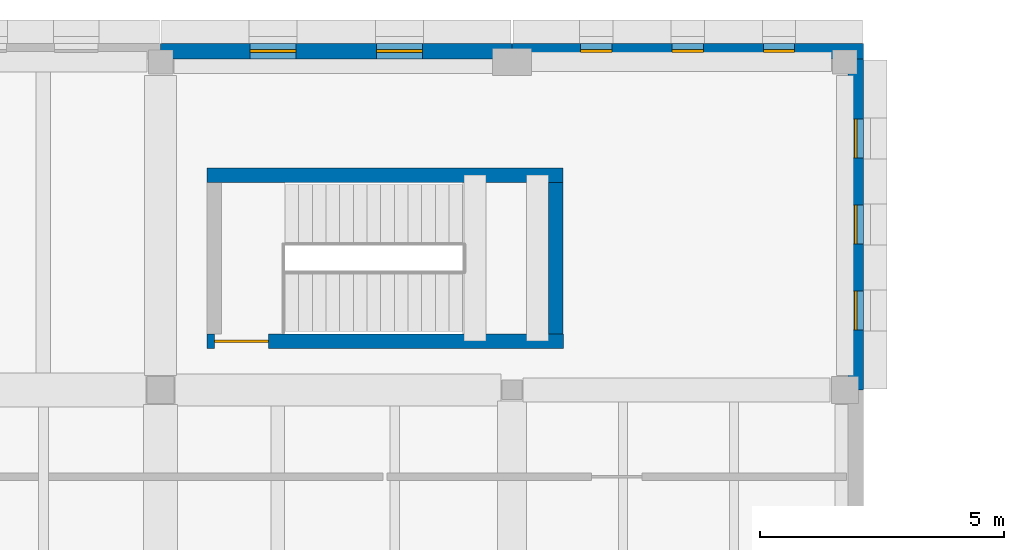
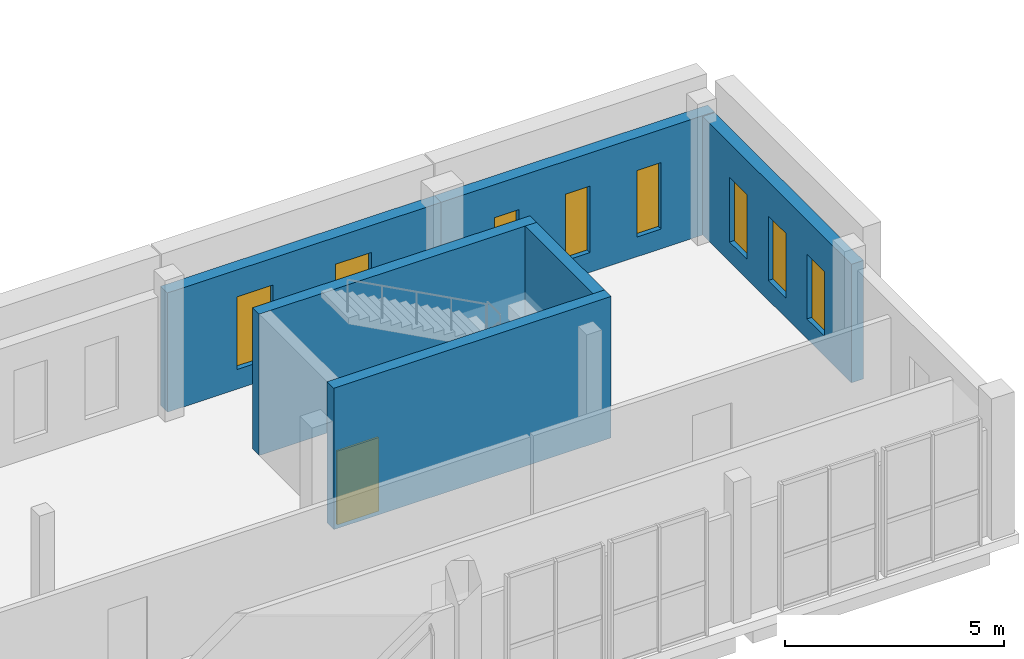
# One storey, part 42 of 56: 8 windows, 6 walls, 1 door, 9 openings.
"""IFC4 building model written with IfcOpenShell, lengths in metres."""

from ifc_helpers import new_model, si_unit, direction, frame, frame_2d, origin, place, context, subcontext, project, spatial, rectangle, extrude, material, layer, layer_set, type_object, element, fill, save


model = new_model("IFC4")

# Units and contexts
model_context = context("Model", 3, precision=1e-05, world=origin(), true_north=direction((0.0, 1.0)))
body_context = subcontext(model_context, "Body", "Model", "MODEL_VIEW")
ifc_project = project(units=[si_unit("LENGTHUNIT", "METRE"), si_unit("AREAUNIT", "SQUARE_METRE"), si_unit("VOLUMEUNIT", "CUBIC_METRE"), si_unit("PLANEANGLEUNIT", "RADIAN"), si_unit("MASSUNIT", "GRAM", prefix="KILO")], contexts=[model_context])

# Site, building, storey
site_placement = place(None, origin())
site = spatial("IfcSite", under=ifc_project, at=site_placement, CompositionType="ELEMENT")
building_placement = place(site_placement, origin())
building = spatial("IfcBuilding", under=site, at=building_placement, Name="Vardoun Plaza Health Centre", CompositionType="ELEMENT")
storey_placement = place(building_placement, frame((0.0, 0.0, 8.699951171875)))
storey = spatial("IfcBuildingStorey", under=building, at=storey_placement, Name="L02", CompositionType="ELEMENT", Elevation=8.699951171875)

# Wall, opening, door
ifc_material_1 = material(Name="Concrete C40/50", Category="concrete")
ifc_layer_1 = layer(ifc_material_1, 0.300048828125)
ifc_layer_set_1 = layer_set([ifc_layer_1], Name="Concrete C40/50")
wall_type_1 = type_object("IfcWallType", Name="SW-01", PredefinedType="SHEAR", material=ifc_layer_set_1)
wall_1_placement = place(storey_placement, frame((41.550048828125, 109.199951171875, 0.0), z_axis=(0.0, 0.0, 1.0), x_axis=(-1.0, 0.0, 0.0)))
wall_1 = element("IfcWall", 1, at=wall_1_placement, inside=storey, type_object=wall_type_1, Name="Core C4 L02 Shear Wall S", PredefinedType="SHEAR", context=body_context, shape_type="SweptSolid", body=[
    extrude(rectangle(XDim=7.300048828125, YDim=0.300048828125, at=frame_2d((3.64990234375, 0.0))), origin(), (0.0, 0.0, 1.0), 3.93505859375),
])
opening_1_placement = place(wall_1_placement, frame((6.0400390625, 0.0, 0.0)))
opening_1 = element("IfcOpeningElement", 2, at=opening_1_placement, cuts=wall_1, Name="Opening SD-C4-L02", PredefinedType="OPENING", context=body_context, shape_type="SweptSolid", body=[
    extrude(rectangle(XDim=1.10009765625, YDim=2.050048828125, at=frame_2d((0.550048828125, 1.02490234375))), frame((0.0, 0.14990234375, 0.0), z_axis=(0.0, -1.0, 0.0), x_axis=(1.0, 0.0, 0.0)), (0.0, 0.0, 1.0), 0.300048828125),
])
ifc_material_2 = material(Name="Brushed Stainless Steel Grade 316L", Category="steel")
door_type = type_object("IfcDoorType", Name="FD-01", OperationType="NOTDEFINED", PredefinedType="DOOR", material=ifc_material_2)
door_placement = place(opening_1_placement, origin())
door = element("IfcDoor", 3, at=door_placement, inside=storey, type_object=door_type, Name="Stair C4 L02 Fire Door", OperationType="SINGLE_SWING_LEFT", OverallHeight=2.050048828125, OverallWidth=1.10009765625, PredefinedType="DOOR", context=body_context, shape_type="SweptSolid", body=[
    extrude(rectangle(XDim=1.10009765625, YDim=2.050048828125, at=frame_2d((0.550048828125, 1.02490234375))), frame((0.0, 0.02490234375, 0.0), z_axis=(0.0, -1.0, 0.0), x_axis=(1.0, 0.0, 0.0)), (0.0, 0.0, 1.0), 0.050048828125),
])
fill(opening_1, door)

# Walls
wall_2_placement = place(storey_placement, frame((34.25, 112.60009765625, 0.0), z_axis=(0.0, 0.0, 1.0), x_axis=(1.0, 0.0, 0.0)))
element("IfcWall", 4, at=wall_2_placement, inside=storey, type_object=wall_type_1, Name="Core C4 L02 Shear Wall N", PredefinedType="SHEAR", context=body_context, shape_type="SweptSolid", body=[
    extrude(rectangle(XDim=7.300048828125, YDim=0.300048828125, at=frame_2d((3.64990234375, 0.0))), origin(), (0.0, 0.0, 1.0), 3.93505859375),
])
wall_3_placement = place(storey_placement, frame((41.39990234375, 112.449951171875, 0.0), z_axis=(0.0, 0.0, 1.0), x_axis=(0.0, -1.0, 0.0)))
element("IfcWall", 5, at=wall_3_placement, inside=storey, type_object=wall_type_1, Name="Core C4 L02 Shear Wall E", PredefinedType="SHEAR", context=body_context, shape_type="SweptSolid", body=[
    extrude(rectangle(XDim=3.099853515625, YDim=0.300048828125, at=frame_2d((1.5498046875, 0.0))), origin(), (0.0, 0.0, 1.0), 3.93505859375),
])

# Wall, openings, windows
ifc_material_3 = material(Name="Pale Limestone Concrete C35/45", Category="masonry")
ifc_layer_2 = layer(ifc_material_3, 0.31494140625)
ifc_layer_set_2 = layer_set([ifc_layer_2], Name="Pale Limestone Concrete C35/45")
wall_type_2 = type_object("IfcWallType", Name="EW-03", PredefinedType="SOLIDWALL", material=ifc_layer_set_2)
wall_4_placement = place(storey_placement, frame((33.300048828125, 115.142578125, 0.0), z_axis=(0.0, 0.0, 1.0), x_axis=(1.0, 0.0, 0.0)))
wall_4 = element("IfcWall", 6, at=wall_4_placement, inside=storey, type_object=wall_type_2, Name="V3 L02 Exterior Wall EW-V3-278", PredefinedType="SOLIDWALL", context=body_context, shape_type="SweptSolid", body=[
    extrude(rectangle(XDim=7.199951171875, YDim=0.31494140625, at=frame_2d((3.60009765625, 0.0))), origin(), (0.0, 0.0, 1.0), 3.320068359375),
])
opening_2_placement = place(wall_4_placement, frame((1.8291015625, 0.0, 0.550048828125)))
opening_2 = element("IfcOpeningElement", 7, at=opening_2_placement, cuts=wall_4, Name="Opening W-36-004", PredefinedType="OPENING", context=body_context, shape_type="SweptSolid", body=[
    extrude(rectangle(XDim=0.949951171875, YDim=2.02001953125, at=frame_2d((0.47509765625, 1.010009765625))), frame((0.0, 0.157470703125, 0.0), z_axis=(0.0, -1.0, 0.0), x_axis=(1.0, 0.0, 0.0)), (0.0, 0.0, 1.0), 0.31494140625),
])
opening_3_placement = place(wall_4_placement, frame((4.4208984375, 0.0, 0.550048828125)))
opening_3 = element("IfcOpeningElement", 8, at=opening_3_placement, cuts=wall_4, Name="Opening W-36-005", PredefinedType="OPENING", context=body_context, shape_type="SweptSolid", body=[
    extrude(rectangle(XDim=0.949951171875, YDim=2.02001953125, at=frame_2d((0.47509765625, 1.010009765625))), frame((0.0, 0.157470703125, 0.0), z_axis=(0.0, -1.0, 0.0), x_axis=(1.0, 0.0, 0.0)), (0.0, 0.0, 1.0), 0.31494140625),
])
ifc_material_4 = material(Name="Aluminium Alloy EN AW-6063-T6 and Low-E Glass", Category="aluminium")
window_type_1 = type_object("IfcWindowType", Name="W-36", PartitioningType="DOUBLE_PANEL_VERTICAL", PredefinedType="WINDOW", material=ifc_material_4)
window_1_placement = place(opening_2_placement, origin())
window_1 = element("IfcWindow", 9, at=window_1_placement, inside=storey, type_object=window_type_1, Name="V3 L02 Deep-Punched Slot Window W-36-438", OverallHeight=2.02001953125, OverallWidth=0.949951171875, PartitioningType="DOUBLE_PANEL_VERTICAL", PredefinedType="WINDOW", context=body_context, shape_type="SweptSolid", body=[
    extrude(rectangle(XDim=0.949951171875, YDim=2.02001953125, at=frame_2d((0.47509765625, 1.010009765625))), frame((0.0, 0.030029296875, 0.0), z_axis=(0.0, -1.0, 0.0), x_axis=(1.0, 0.0, 0.0)), (0.0, 0.0, 1.0), 0.06005859375),
])
fill(opening_2, window_1)
window_2_placement = place(opening_3_placement, origin())
window_2 = element("IfcWindow", 10, at=window_2_placement, inside=storey, type_object=window_type_1, Name="V3 L02 Deep-Punched Slot Window W-36-439", OverallHeight=2.02001953125, OverallWidth=0.949951171875, PartitioningType="DOUBLE_PANEL_VERTICAL", PredefinedType="WINDOW", context=body_context, shape_type="SweptSolid", body=[
    extrude(rectangle(XDim=0.949951171875, YDim=2.02001953125, at=frame_2d((0.47509765625, 1.010009765625))), frame((0.0, 0.030029296875, 0.0), z_axis=(0.0, -1.0, 0.0), x_axis=(1.0, 0.0, 0.0)), (0.0, 0.0, 1.0), 0.06005859375),
])
fill(opening_3, window_2)

wall_5_placement = place(storey_placement, frame((40.5, 115.142578125, 0.0), z_axis=(0.0, 0.0, 1.0), x_axis=(1.0, 0.0, 0.0)))
wall_5 = element("IfcWall", 11, at=wall_5_placement, inside=storey, type_object=wall_type_2, Name="V3 L02 Exterior Wall EW-V3-279", PredefinedType="SOLIDWALL", context=body_context, shape_type="SweptSolid", body=[
    extrude(rectangle(XDim=7.199951171875, YDim=0.31494140625, at=frame_2d((3.60009765625, 0.0))), origin(), (0.0, 0.0, 1.0), 3.320068359375),
])
opening_4_placement = place(wall_5_placement, frame((1.407958984375, 0.0, 0.550048828125)))
opening_4 = element("IfcOpeningElement", 12, at=opening_4_placement, cuts=wall_5, Name="Opening W-25-016", PredefinedType="OPENING", context=body_context, shape_type="SweptSolid", body=[
    extrude(rectangle(XDim=0.639892578125, YDim=1.85009765625, at=frame_2d((0.31982421875, 0.925048828125))), frame((0.0, 0.157470703125, 0.0), z_axis=(0.0, -1.0, 0.0), x_axis=(1.0, 0.0, 0.0)), (0.0, 0.0, 1.0), 0.31494140625),
])
opening_5_placement = place(wall_5_placement, frame((3.280029296875, 0.0, 0.550048828125)))
opening_5 = element("IfcOpeningElement", 13, at=opening_5_placement, cuts=wall_5, Name="Opening W-25-017", PredefinedType="OPENING", context=body_context, shape_type="SweptSolid", body=[
    extrude(rectangle(XDim=0.639892578125, YDim=1.85009765625, at=frame_2d((0.31982421875, 0.925048828125))), frame((0.0, 0.157470703125, 0.0), z_axis=(0.0, -1.0, 0.0), x_axis=(1.0, 0.0, 0.0)), (0.0, 0.0, 1.0), 0.31494140625),
])
opening_6_placement = place(wall_5_placement, frame((5.152099609375, 0.0, 0.550048828125)))
opening_6 = element("IfcOpeningElement", 14, at=opening_6_placement, cuts=wall_5, Name="Opening W-25-018", PredefinedType="OPENING", context=body_context, shape_type="SweptSolid", body=[
    extrude(rectangle(XDim=0.639892578125, YDim=1.85009765625, at=frame_2d((0.31982421875, 0.925048828125))), frame((0.0, 0.157470703125, 0.0), z_axis=(0.0, -1.0, 0.0), x_axis=(1.0, 0.0, 0.0)), (0.0, 0.0, 1.0), 0.31494140625),
])
ifc_material_5 = material(Name="Aluminium Alloy EN AW-6063-T6 and Low-E Glass", Category="aluminium")
window_type_2 = type_object("IfcWindowType", Name="W-25", PartitioningType="SINGLE_PANEL", PredefinedType="WINDOW", material=ifc_material_5)
window_3_placement = place(opening_4_placement, origin())
window_3 = element("IfcWindow", 15, at=window_3_placement, inside=storey, type_object=window_type_2, Name="V3 L02 Deep-Punched Slot Window W-25-440", OverallHeight=1.85009765625, OverallWidth=0.639892578125, PartitioningType="SINGLE_PANEL", PredefinedType="WINDOW", context=body_context, shape_type="SweptSolid", body=[
    extrude(rectangle(XDim=0.639892578125, YDim=1.85009765625, at=frame_2d((0.31982421875, 0.925048828125))), frame((0.0, 0.030029296875, 0.0), z_axis=(0.0, -1.0, 0.0), x_axis=(1.0, 0.0, 0.0)), (0.0, 0.0, 1.0), 0.06005859375),
])
fill(opening_4, window_3)
window_4_placement = place(opening_5_placement, origin())
window_4 = element("IfcWindow", 16, at=window_4_placement, inside=storey, type_object=window_type_2, Name="V3 L02 Deep-Punched Slot Window W-25-441", OverallHeight=1.85009765625, OverallWidth=0.639892578125, PartitioningType="SINGLE_PANEL", PredefinedType="WINDOW", context=body_context, shape_type="SweptSolid", body=[
    extrude(rectangle(XDim=0.639892578125, YDim=1.85009765625, at=frame_2d((0.31982421875, 0.925048828125))), frame((0.0, 0.030029296875, 0.0), z_axis=(0.0, -1.0, 0.0), x_axis=(1.0, 0.0, 0.0)), (0.0, 0.0, 1.0), 0.06005859375),
])
fill(opening_5, window_4)
window_5_placement = place(opening_6_placement, origin())
window_5 = element("IfcWindow", 17, at=window_5_placement, inside=storey, type_object=window_type_2, Name="V3 L02 Deep-Punched Slot Window W-25-442", OverallHeight=1.85009765625, OverallWidth=0.639892578125, PartitioningType="SINGLE_PANEL", PredefinedType="WINDOW", context=body_context, shape_type="SweptSolid", body=[
    extrude(rectangle(XDim=0.639892578125, YDim=1.85009765625, at=frame_2d((0.31982421875, 0.925048828125))), frame((0.0, 0.030029296875, 0.0), z_axis=(0.0, -1.0, 0.0), x_axis=(1.0, 0.0, 0.0)), (0.0, 0.0, 1.0), 0.06005859375),
])
fill(opening_6, window_5)

wall_6_placement = place(storey_placement, frame((47.54248046875, 114.985107421875, 0.0), z_axis=(0.0, 0.0, 1.0), x_axis=(0.0, -1.0, 0.0)))
wall_6 = element("IfcWall", 18, at=wall_6_placement, inside=storey, type_object=wall_type_2, Name="V3 L02 Exterior Wall EW-V3-280", PredefinedType="SOLIDWALL", context=body_context, shape_type="SweptSolid", body=[
    extrude(rectangle(XDim=6.78515625, YDim=0.31494140625, at=frame_2d((3.392578125, 0.0))), origin(), (0.0, 0.0, 1.0), 3.300048828125),
])
opening_7_placement = place(wall_6_placement, frame((1.228515625, 0.0, 0.550048828125)))
opening_7 = element("IfcOpeningElement", 19, at=opening_7_placement, cuts=wall_6, Name="Opening W-27-019", PredefinedType="OPENING", context=body_context, shape_type="SweptSolid", body=[
    extrude(rectangle(XDim=0.800048828125, YDim=1.800048828125, at=frame_2d((0.39990234375, 0.89990234375))), frame((0.0, 0.157470703125, 0.0), z_axis=(0.0, -1.0, 0.0), x_axis=(1.0, 0.0, 0.0)), (0.0, 0.0, 1.0), 0.31494140625),
])
opening_8_placement = place(wall_6_placement, frame((2.992431640625, 0.0, 0.550048828125)))
opening_8 = element("IfcOpeningElement", 20, at=opening_8_placement, cuts=wall_6, Name="Opening W-27-020", PredefinedType="OPENING", context=body_context, shape_type="SweptSolid", body=[
    extrude(rectangle(XDim=0.800048828125, YDim=1.800048828125, at=frame_2d((0.39990234375, 0.89990234375))), frame((0.0, 0.157470703125, 0.0), z_axis=(0.0, -1.0, 0.0), x_axis=(1.0, 0.0, 0.0)), (0.0, 0.0, 1.0), 0.31494140625),
])
opening_9_placement = place(wall_6_placement, frame((4.756591796875, 0.0, 0.550048828125)))
opening_9 = element("IfcOpeningElement", 21, at=opening_9_placement, cuts=wall_6, Name="Opening W-27-021", PredefinedType="OPENING", context=body_context, shape_type="SweptSolid", body=[
    extrude(rectangle(XDim=0.800048828125, YDim=1.800048828125, at=frame_2d((0.39990234375, 0.89990234375))), frame((0.0, 0.157470703125, 0.0), z_axis=(0.0, -1.0, 0.0), x_axis=(1.0, 0.0, 0.0)), (0.0, 0.0, 1.0), 0.31494140625),
])
ifc_material_6 = material(Name="Aluminium Alloy EN AW-6063-T6 and Low-E Glass", Category="aluminium")
window_type_3 = type_object("IfcWindowType", Name="W-27", PartitioningType="SINGLE_PANEL", PredefinedType="WINDOW", material=ifc_material_6)
window_6_placement = place(opening_7_placement, origin())
window_6 = element("IfcWindow", 22, at=window_6_placement, inside=storey, type_object=window_type_3, Name="V3 L02 Deep-Punched Slot Window W-27-443", OverallHeight=1.800048828125, OverallWidth=0.800048828125, PartitioningType="SINGLE_PANEL", PredefinedType="WINDOW", context=body_context, shape_type="SweptSolid", body=[
    extrude(rectangle(XDim=0.800048828125, YDim=1.800048828125, at=frame_2d((0.39990234375, 0.89990234375))), frame((0.0, 0.030029296875, 0.0), z_axis=(0.0, -1.0, 0.0), x_axis=(1.0, 0.0, 0.0)), (0.0, 0.0, 1.0), 0.06005859375),
])
fill(opening_7, window_6)
window_7_placement = place(opening_8_placement, origin())
window_7 = element("IfcWindow", 23, at=window_7_placement, inside=storey, type_object=window_type_3, Name="V3 L02 Deep-Punched Slot Window W-27-444", OverallHeight=1.800048828125, OverallWidth=0.800048828125, PartitioningType="SINGLE_PANEL", PredefinedType="WINDOW", context=body_context, shape_type="SweptSolid", body=[
    extrude(rectangle(XDim=0.800048828125, YDim=1.800048828125, at=frame_2d((0.39990234375, 0.89990234375))), frame((0.0, 0.030029296875, 0.0), z_axis=(0.0, -1.0, 0.0), x_axis=(1.0, 0.0, 0.0)), (0.0, 0.0, 1.0), 0.06005859375),
])
fill(opening_8, window_7)
window_8_placement = place(opening_9_placement, origin())
window_8 = element("IfcWindow", 24, at=window_8_placement, inside=storey, type_object=window_type_3, Name="V3 L02 Deep-Punched Slot Window W-27-445", OverallHeight=1.800048828125, OverallWidth=0.800048828125, PartitioningType="SINGLE_PANEL", PredefinedType="WINDOW", context=body_context, shape_type="SweptSolid", body=[
    extrude(rectangle(XDim=0.800048828125, YDim=1.800048828125, at=frame_2d((0.39990234375, 0.89990234375))), frame((0.0, 0.030029296875, 0.0), z_axis=(0.0, -1.0, 0.0), x_axis=(1.0, 0.0, 0.0)), (0.0, 0.0, 1.0), 0.06005859375),
])
fill(opening_9, window_8)

save(model, "model.ifc")
